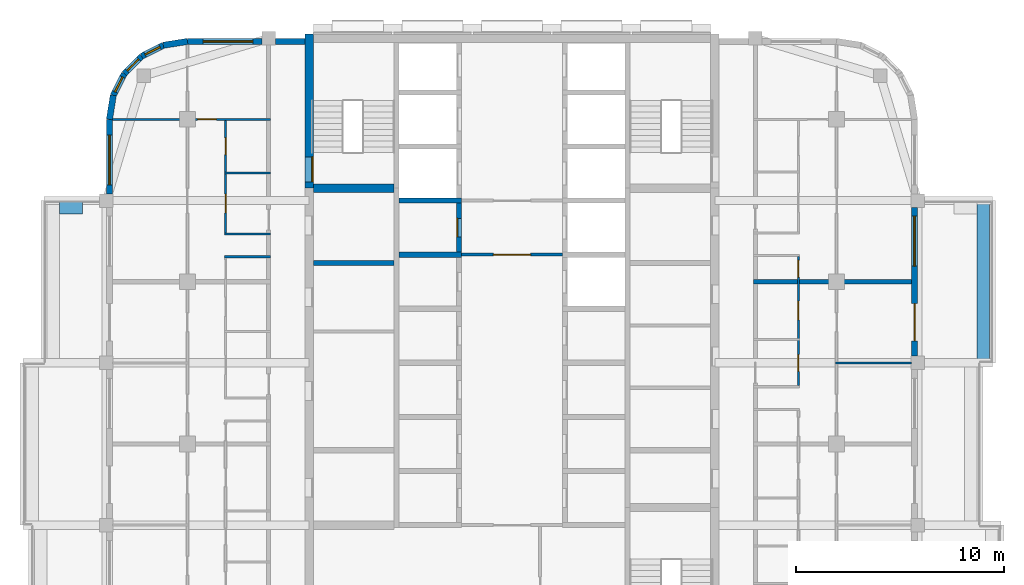
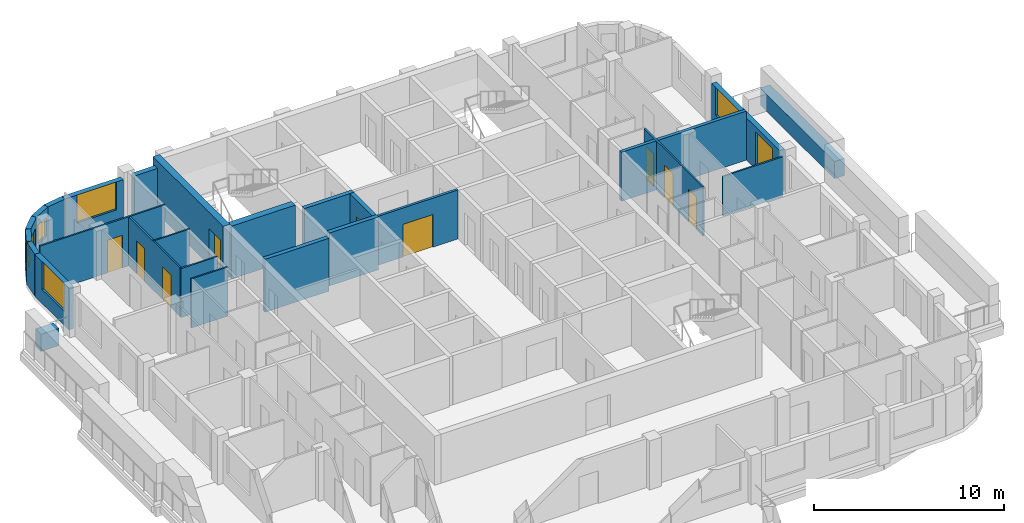
# One storey, part 7 of 13: 26 walls, 10 doors, 6 windows, 16 openings.
"""IFC4 building model written with IfcOpenShell, lengths in metres."""

from ifc_helpers import new_model, si_unit, direction, frame, frame_2d, origin, place, context, subcontext, project, spatial, rectangle, extrude, material, layer, layer_set, type_object, element, fill, save


model = new_model("IFC4")

# Units and contexts
model_context = context("Model", 3, precision=1e-05, world=origin(), true_north=direction((0.0, 1.0)))
body_context = subcontext(model_context, "Body", "Model", "MODEL_VIEW")
ifc_project = project(units=[si_unit("LENGTHUNIT", "METRE"), si_unit("AREAUNIT", "SQUARE_METRE"), si_unit("VOLUMEUNIT", "CUBIC_METRE"), si_unit("PLANEANGLEUNIT", "RADIAN"), si_unit("MASSUNIT", "GRAM", prefix="KILO")], contexts=[model_context])

# Site, building, storey
site_placement = place(None, origin())
site = spatial("IfcSite", under=ifc_project, at=site_placement, CompositionType="ELEMENT")
building_placement = place(site_placement, origin())
building = spatial("IfcBuilding", under=site, at=building_placement, Name="Ludao Terraces", CompositionType="ELEMENT")
storey_placement = place(building_placement, frame((0.0, 0.0, 249.39990234375)))
storey = spatial("IfcBuildingStorey", under=building, at=storey_placement, Name="L68", CompositionType="ELEMENT", Elevation=249.39990234375)

# Wall, opening, door
ifc_material_1 = material(Name="Concrete C50", Category="concrete")
ifc_layer_1 = layer(ifc_material_1, 0.39990234375)
ifc_layer_set_1 = layer_set([ifc_layer_1], Name="Core wall 400 C50")
wall_type_1 = type_object("IfcWallType", Name="Core wall 400 C50", PredefinedType="SOLIDWALL", material=ifc_layer_set_1)
wall_1_placement = place(storey_placement, frame((75.25, 77.300048828125, -0.25), z_axis=(0.0, 0.0, 1.0), x_axis=(0.0, 1.0, 0.0)))
wall_1 = element("IfcWall", 1, at=wall_1_placement, inside=storey, type_object=wall_type_1, Name="Core wall L68 outer-W-S1", PredefinedType="SOLIDWALL", context=body_context, shape_type="SweptSolid", body=[
    extrude(rectangle(XDim=7.39990234375, YDim=0.39990234375, at=frame_2d((3.699951171875, 0.0))), origin(), (0.0, 0.0, 1.0), 3.400146484375),
])
opening_1_placement = place(wall_1_placement, frame((0.300048828125, 0.0, 0.25)))
opening_1 = element("IfcOpeningElement", 2, at=opening_1_placement, cuts=wall_1, Name="Opening R24-077", PredefinedType="OPENING", context=body_context, shape_type="SweptSolid", body=[
    extrude(rectangle(XDim=1.199951171875, YDim=2.10009765625, at=frame_2d((0.60009765625, 1.050048828125))), frame((0.0, 0.2099609375, 0.0), z_axis=(0.0, -1.0, 0.0), x_axis=(1.0, 0.0, 0.0)), (0.0, 0.0, 1.0), 0.419921875),
])
ifc_material_2 = material(Name="Steel Q235", Category="steel")
door_type_1 = type_object("IfcDoorType", Name="INT Stair door 1200", OperationType="DOUBLE_DOOR_SINGLE_SWING", PredefinedType="DOOR", material=ifc_material_2)
door_1_placement = place(opening_1_placement, origin())
door_1 = element("IfcDoor", 3, at=door_1_placement, inside=storey, type_object=door_type_1, Name="DOOR 077", OperationType="DOUBLE_DOOR_SINGLE_SWING", OverallHeight=2.10009765625, OverallWidth=1.199951171875, PredefinedType="DOOR", context=body_context, shape_type="SweptSolid", body=[
    extrude(rectangle(XDim=1.199951171875, YDim=2.10009765625, at=frame_2d((0.60009765625, 1.050048828125))), frame((0.0, -0.134765625, 0.0), z_axis=(0.0, -1.0, 0.0), x_axis=(1.0, 0.0, 0.0)), (0.0, 0.0, 1.0), 0.050048828125),
])
fill(opening_1, door_1)

# Walls
ifc_material_3 = material(Name="Concrete C40", Category="concrete")
ifc_layer_2 = layer(ifc_material_3, 0.60009765625)
ifc_layer_set_2 = layer_set([ifc_layer_2], Name="ENV Planter trough 600")
wall_type_2 = type_object("IfcWallType", Name="ENV Planter trough 600", PredefinedType="USERDEFINED", material=ifc_layer_set_2)
wall_2_placement = place(storey_placement, frame((107.64990234375, 68.89990234375, 0.0), z_axis=(0.0, 0.0, 1.0), x_axis=(0.0, 1.0, 0.0)))
element("IfcWall", 4, at=wall_2_placement, inside=storey, type_object=wall_type_2, Name="PL-L68-E3", ObjectType="PLANTER", PredefinedType="USERDEFINED", context=body_context, shape_type="SweptSolid", body=[
    extrude(rectangle(XDim=7.800048828125, YDim=0.60009765625, at=frame_2d((3.89990234375, 0.0))), origin(), (0.0, 0.0, 1.0), 1.10009765625),
])
wall_3_placement = place(storey_placement, frame((63.25, 76.35009765625, 0.0), z_axis=(0.0, 0.0, 1.0), x_axis=(1.0, 0.0, 0.0)))
element("IfcWall", 5, at=wall_3_placement, inside=storey, type_object=wall_type_2, Name="PL-L68-W3-SB", ObjectType="PLANTER", PredefinedType="USERDEFINED", context=body_context, shape_type="SweptSolid", body=[
    extrude(rectangle(XDim=1.10009765625, YDim=0.60009765625, at=frame_2d((0.550048828125, 0.0))), origin(), (0.0, 0.0, 1.0), 1.10009765625),
])

# Wall, openings, door, window
ifc_material_4 = material(Name="Granite cladding", Category="masonry")
ifc_layer_3 = layer(ifc_material_4, 0.0400390625, Category="stone")
ifc_material_5 = material(Name="Mineral wool")
ifc_layer_4 = layer(ifc_material_5, 0.06005859375)
ifc_layer_5 = layer(ifc_material_3, 0.199951171875, Category="concrete")
ifc_layer_set_3 = layer_set([ifc_layer_3, ifc_layer_4, ifc_layer_5], Name="ENV Stone-clad wall 300")
wall_type_3 = type_object("IfcWallType", Name="ENV Stone-clad wall 300", PredefinedType="SOLIDWALL", material=ifc_layer_set_3)
wall_4_placement = place(storey_placement, frame((104.35009765625, 69.22509765625, 0.0), z_axis=(0.0, 0.0, 1.0), x_axis=(0.0, 1.0, 0.0)))
wall_4 = element("IfcWall", 6, at=wall_4_placement, inside=storey, type_object=wall_type_3, Name="EW-L68-E4", PredefinedType="SOLIDWALL", context=body_context, shape_type="SweptSolid", body=[
    extrude(rectangle(XDim=7.14990234375, YDim=0.300048828125, at=frame_2d((3.574951171875, 0.0))), origin(), (0.0, 0.0, 1.0), 2.7001953125),
])
opening_2_placement = place(wall_4_placement, frame((0.72509765625, 0.0, 0.0)))
opening_2 = element("IfcOpeningElement", 7, at=opening_2_placement, cuts=wall_4, Name="Opening BD", PredefinedType="OPENING", context=body_context, shape_type="SweptSolid", body=[
    extrude(rectangle(XDim=1.800048828125, YDim=2.39990234375, at=frame_2d((0.89990234375, 1.199951171875))), frame((0.0, 0.16015625, 0.0), z_axis=(0.0, -1.0, 0.0), x_axis=(1.0, 0.0, 0.0)), (0.0, 0.0, 1.0), 0.320068359375),
])
opening_3_placement = place(wall_4_placement, frame((4.324951171875, 0.0, 0.89990234375)))
opening_3 = element("IfcOpeningElement", 8, at=opening_3_placement, cuts=wall_4, Name="Opening W1", PredefinedType="OPENING", context=body_context, shape_type="SweptSolid", body=[
    extrude(rectangle(XDim=2.39990234375, YDim=1.800048828125, at=frame_2d((1.199951171875, 0.89990234375))), frame((0.0, 0.16015625, 0.0), z_axis=(0.0, -1.0, 0.0), x_axis=(1.0, 0.0, 0.0)), (0.0, 0.0, 1.0), 0.320068359375),
])
ifc_material_6 = material(Name="Aluminium glazed door", Category="aluminium")
ifc_layer_6 = layer(ifc_material_6, 0.06005859375)
ifc_layer_set_4 = layer_set([ifc_layer_6], Name="ENV Balcony door BD 1800x2400")
door_type_2 = type_object("IfcDoorType", Name="ENV Balcony door BD 1800x2400", OperationType="DOUBLE_DOOR_SINGLE_SWING", PredefinedType="DOOR", material=ifc_layer_set_4)
door_2_placement = place(opening_2_placement, origin())
door_2 = element("IfcDoor", 9, at=door_2_placement, inside=storey, type_object=door_type_2, Name="BD-L68-E4-1", OperationType="DOUBLE_DOOR_SINGLE_SWING", OverallHeight=2.39990234375, OverallWidth=1.800048828125, PredefinedType="DOOR", context=body_context, shape_type="SweptSolid", body=[
    extrude(rectangle(XDim=1.800048828125, YDim=2.39990234375, at=frame_2d((0.89990234375, 1.199951171875))), frame((0.0, 0.02490234375, 0.0), z_axis=(0.0, -1.0, 0.0), x_axis=(1.0, 0.0, 0.0)), (0.0, 0.0, 1.0), 0.050048828125),
])
fill(opening_2, door_2)
ifc_material_7 = material(Name="Clear glass in aluminium frame", Category="aluminium")
ifc_layer_7 = layer(ifc_material_7, 0.06005859375)
ifc_layer_set_5 = layer_set([ifc_layer_7], Name="ENV Window W1 2400x1800")
window_type_1 = type_object("IfcWindowType", Name="ENV Window W1 2400x1800", PartitioningType="DOUBLE_PANEL_VERTICAL", PredefinedType="WINDOW", material=ifc_layer_set_5)
window_1_placement = place(opening_3_placement, origin())
window_1 = element("IfcWindow", 10, at=window_1_placement, inside=storey, type_object=window_type_1, Name="W-L68-E4-2", OverallHeight=1.800048828125, OverallWidth=2.39990234375, PartitioningType="DOUBLE_PANEL_VERTICAL", PredefinedType="WINDOW", context=body_context, shape_type="SweptSolid", body=[
    extrude(rectangle(XDim=2.39990234375, YDim=1.800048828125, at=frame_2d((1.199951171875, 0.89990234375))), frame((0.0, 0.030029296875, 0.0), z_axis=(0.0, -1.0, 0.0), x_axis=(1.0, 0.0, 0.0)), (0.0, 0.0, 1.0), 0.06005859375),
])
fill(opening_3, window_1)

# Wall, opening, window
wall_5_placement = place(storey_placement, frame((69.39990234375, 84.35009765625, 0.0), z_axis=(0.0, 0.0, 1.0), x_axis=(1.0, 0.0, 0.0)))
wall_5 = element("IfcWall", 11, at=wall_5_placement, inside=storey, type_object=wall_type_3, Name="EW-L68-N1", PredefinedType="SOLIDWALL", context=body_context, shape_type="SweptSolid", body=[
    extrude(rectangle(XDim=3.5751953125, YDim=0.300048828125, at=frame_2d((1.78759765625, 0.0))), origin(), (0.0, 0.0, 1.0), 2.7001953125),
])
opening_4_placement = place(wall_5_placement, frame((0.75, 0.0, 0.89990234375)))
opening_4 = element("IfcOpeningElement", 12, at=opening_4_placement, cuts=wall_5, Name="Opening W1", PredefinedType="OPENING", context=body_context, shape_type="SweptSolid", body=[
    extrude(rectangle(XDim=2.39990234375, YDim=1.800048828125, at=frame_2d((1.199951171875, 0.89990234375))), frame((0.0, 0.16015625, 0.0), z_axis=(0.0, -1.0, 0.0), x_axis=(1.0, 0.0, 0.0)), (0.0, 0.0, 1.0), 0.320068359375),
])
window_2_placement = place(opening_4_placement, origin())
window_2 = element("IfcWindow", 13, at=window_2_placement, inside=storey, type_object=window_type_1, Name="W-L68-N1-1", OverallHeight=1.800048828125, OverallWidth=2.39990234375, PartitioningType="DOUBLE_PANEL_VERTICAL", PredefinedType="WINDOW", context=body_context, shape_type="SweptSolid", body=[
    extrude(rectangle(XDim=2.39990234375, YDim=1.800048828125, at=frame_2d((1.199951171875, 0.89990234375))), frame((0.0, 0.030029296875, 0.0), z_axis=(0.0, -1.0, 0.0), x_axis=(1.0, 0.0, 0.0)), (0.0, 0.0, 1.0), 0.06005859375),
])
fill(opening_4, window_2)

# Wall
wall_6_placement = place(storey_placement, frame((73.625, 84.35009765625, 0.0), z_axis=(0.0, 0.0, 1.0), x_axis=(1.0, 0.0, 0.0)))
element("IfcWall", 14, at=wall_6_placement, inside=storey, type_object=wall_type_3, Name="EW-L68-N2", PredefinedType="SOLIDWALL", context=body_context, shape_type="SweptSolid", body=[
    extrude(rectangle(XDim=1.425048828125, YDim=0.300048828125, at=frame_2d((0.71240234375, 0.0))), origin(), (0.0, 0.0, 1.0), 2.7001953125),
])

# Wall, opening, window
wall_7_placement = place(storey_placement, frame((65.64990234375, 77.02490234375, 0.0), z_axis=(0.0, 0.0, 1.0), x_axis=(0.0, 1.0, 0.0)))
wall_7 = element("IfcWall", 15, at=wall_7_placement, inside=storey, type_object=wall_type_3, Name="EW-L68-W5", PredefinedType="SOLIDWALL", context=body_context, shape_type="SweptSolid", body=[
    extrude(rectangle(XDim=3.5751953125, YDim=0.300048828125, at=frame_2d((1.78759765625, 0.0))), origin(), (0.0, 0.0, 1.0), 2.7001953125),
])
opening_5_placement = place(wall_7_placement, frame((0.425048828125, 0.0, 0.89990234375)))
opening_5 = element("IfcOpeningElement", 16, at=opening_5_placement, cuts=wall_7, Name="Opening W1", PredefinedType="OPENING", context=body_context, shape_type="SweptSolid", body=[
    extrude(rectangle(XDim=2.39990234375, YDim=1.800048828125, at=frame_2d((1.199951171875, 0.89990234375))), frame((0.0, 0.16015625, 0.0), z_axis=(0.0, -1.0, 0.0), x_axis=(1.0, 0.0, 0.0)), (0.0, 0.0, 1.0), 0.320068359375),
])
window_3_placement = place(opening_5_placement, origin())
window_3 = element("IfcWindow", 17, at=window_3_placement, inside=storey, type_object=window_type_1, Name="W-L68-W5-1", OverallHeight=1.800048828125, OverallWidth=2.39990234375, PartitioningType="DOUBLE_PANEL_VERTICAL", PredefinedType="WINDOW", context=body_context, shape_type="SweptSolid", body=[
    extrude(rectangle(XDim=2.39990234375, YDim=1.800048828125, at=frame_2d((1.199951171875, 0.89990234375))), frame((0.0, 0.030029296875, 0.0), z_axis=(0.0, -1.0, 0.0), x_axis=(1.0, 0.0, 0.0)), (0.0, 0.0, 1.0), 0.06005859375),
])
fill(opening_5, window_3)

# Wall
wall_8_placement = place(storey_placement, frame((69.39990234375, 84.35009765625, 0.0), z_axis=(0.0, 0.0, 1.0), x_axis=(-0.987678452879, -0.156496880861, 0.0)))
element("IfcWall", 18, at=wall_8_placement, inside=storey, type_object=wall_type_3, Name="EW-L68-NW1", PredefinedType="SOLIDWALL", context=body_context, shape_type="SweptSolid", body=[
    extrude(rectangle(XDim=1.173095703125, YDim=0.300048828125, at=frame_2d((0.58642578125, 0.0))), origin(), (0.0, 0.0, 1.0), 2.7001953125),
])

# Wall, opening, window
wall_9_placement = place(storey_placement, frame((68.2412109375, 84.16650390625, 0.0), z_axis=(0.0, 0.0, 1.0), x_axis=(-0.890988677504, -0.454025524128, 0.0)))
wall_9 = element("IfcWall", 19, at=wall_9_placement, inside=storey, type_object=wall_type_3, Name="EW-L68-NW2", PredefinedType="SOLIDWALL", context=body_context, shape_type="SweptSolid", body=[
    extrude(rectangle(XDim=1.17333984375, YDim=0.300048828125, at=frame_2d((0.586669921875, 0.0))), origin(), (0.0, 0.0, 1.0), 2.7001953125),
])
opening_6_placement = place(wall_9_placement, frame((0.1865234375, 0.0, 0.89990234375)))
opening_6 = element("IfcOpeningElement", 20, at=opening_6_placement, cuts=wall_9, Name="Opening W3", PredefinedType="OPENING", context=body_context, shape_type="SweptSolid", body=[
    extrude(rectangle(XDim=0.800048828125, YDim=1.199951171875, at=frame_2d((0.39990234375, 0.60009765625))), frame((0.0, 0.16015625, 0.0), z_axis=(0.0, -1.0, 0.0), x_axis=(1.0, 0.0, 0.0)), (0.0, 0.0, 1.0), 0.320068359375),
])
ifc_layer_8 = layer(ifc_material_7, 0.06005859375)
ifc_layer_set_6 = layer_set([ifc_layer_8], Name="ENV Window W3 800x1200")
window_type_2 = type_object("IfcWindowType", Name="ENV Window W3 800x1200", PartitioningType="SINGLE_PANEL", PredefinedType="WINDOW", material=ifc_layer_set_6)
window_4_placement = place(opening_6_placement, origin())
window_4 = element("IfcWindow", 21, at=window_4_placement, inside=storey, type_object=window_type_2, Name="W-L68-NW2", OverallHeight=1.199951171875, OverallWidth=0.800048828125, PartitioningType="SINGLE_PANEL", PredefinedType="WINDOW", context=body_context, shape_type="SweptSolid", body=[
    extrude(rectangle(XDim=0.800048828125, YDim=1.199951171875, at=frame_2d((0.39990234375, 0.60009765625))), frame((0.0, 0.030029296875, 0.0), z_axis=(0.0, -1.0, 0.0), x_axis=(1.0, 0.0, 0.0)), (0.0, 0.0, 1.0), 0.06005859375),
])
fill(opening_6, window_4)

wall_10_placement = place(storey_placement, frame((67.19580078125, 83.6337890625, 0.0), z_axis=(0.0, 0.0, 1.0), x_axis=(-0.707106781187, -0.707106781187, 0.0)))
wall_10 = element("IfcWall", 22, at=wall_10_placement, inside=storey, type_object=wall_type_3, Name="EW-L68-NW3", PredefinedType="SOLIDWALL", context=body_context, shape_type="SweptSolid", body=[
    extrude(rectangle(XDim=1.173095703125, YDim=0.300048828125, at=frame_2d((0.58642578125, 0.0))), origin(), (0.0, 0.0, 1.0), 2.7001953125),
])
opening_7_placement = place(wall_10_placement, frame((0.1865234375, 0.0, 0.89990234375)))
opening_7 = element("IfcOpeningElement", 23, at=opening_7_placement, cuts=wall_10, Name="Opening W3", PredefinedType="OPENING", context=body_context, shape_type="SweptSolid", body=[
    extrude(rectangle(XDim=0.800048828125, YDim=1.199951171875, at=frame_2d((0.39990234375, 0.60009765625))), frame((0.0, 0.16015625, 0.0), z_axis=(0.0, -1.0, 0.0), x_axis=(1.0, 0.0, 0.0)), (0.0, 0.0, 1.0), 0.320068359375),
])
window_5_placement = place(opening_7_placement, origin())
window_5 = element("IfcWindow", 24, at=window_5_placement, inside=storey, type_object=window_type_2, Name="W-L68-NW3", OverallHeight=1.199951171875, OverallWidth=0.800048828125, PartitioningType="SINGLE_PANEL", PredefinedType="WINDOW", context=body_context, shape_type="SweptSolid", body=[
    extrude(rectangle(XDim=0.800048828125, YDim=1.199951171875, at=frame_2d((0.39990234375, 0.60009765625))), frame((0.0, 0.030029296875, 0.0), z_axis=(0.0, -1.0, 0.0), x_axis=(1.0, 0.0, 0.0)), (0.0, 0.0, 1.0), 0.06005859375),
])
fill(opening_7, window_5)

wall_11_placement = place(storey_placement, frame((66.3662109375, 82.80419921875, 0.0), z_axis=(0.0, 0.0, 1.0), x_axis=(-0.454025524128, -0.890988677504, 0.0)))
wall_11 = element("IfcWall", 25, at=wall_11_placement, inside=storey, type_object=wall_type_3, Name="EW-L68-NW4", PredefinedType="SOLIDWALL", context=body_context, shape_type="SweptSolid", body=[
    extrude(rectangle(XDim=1.17333984375, YDim=0.300048828125, at=frame_2d((0.586669921875, 0.0))), origin(), (0.0, 0.0, 1.0), 2.7001953125),
])
opening_8_placement = place(wall_11_placement, frame((0.1865234375, 0.0, 0.89990234375)))
opening_8 = element("IfcOpeningElement", 26, at=opening_8_placement, cuts=wall_11, Name="Opening W3", PredefinedType="OPENING", context=body_context, shape_type="SweptSolid", body=[
    extrude(rectangle(XDim=0.800048828125, YDim=1.199951171875, at=frame_2d((0.39990234375, 0.60009765625))), frame((0.0, 0.16015625, 0.0), z_axis=(0.0, -1.0, 0.0), x_axis=(1.0, 0.0, 0.0)), (0.0, 0.0, 1.0), 0.320068359375),
])
window_6_placement = place(opening_8_placement, origin())
window_6 = element("IfcWindow", 27, at=window_6_placement, inside=storey, type_object=window_type_2, Name="W-L68-NW4", OverallHeight=1.199951171875, OverallWidth=0.800048828125, PartitioningType="SINGLE_PANEL", PredefinedType="WINDOW", context=body_context, shape_type="SweptSolid", body=[
    extrude(rectangle(XDim=0.800048828125, YDim=1.199951171875, at=frame_2d((0.39990234375, 0.60009765625))), frame((0.0, 0.030029296875, 0.0), z_axis=(0.0, -1.0, 0.0), x_axis=(1.0, 0.0, 0.0)), (0.0, 0.0, 1.0), 0.06005859375),
])
fill(opening_8, window_6)

# Wall
wall_12_placement = place(storey_placement, frame((65.83349609375, 81.7587890625, 0.0), z_axis=(0.0, 0.0, 1.0), x_axis=(-0.156496880861, -0.987678452879, 0.0)))
element("IfcWall", 28, at=wall_12_placement, inside=storey, type_object=wall_type_3, Name="EW-L68-NW5", PredefinedType="SOLIDWALL", context=body_context, shape_type="SweptSolid", body=[
    extrude(rectangle(XDim=1.173095703125, YDim=0.300048828125, at=frame_2d((0.58642578125, 0.0))), origin(), (0.0, 0.0, 1.0), 2.7001953125),
])

# Wall, opening, door
ifc_material_8 = material(Name="Fire-rated gypsum plasterboard", Category="gypsum")
ifc_layer_9 = layer(ifc_material_8, 0.012451171875, Category="gypsum")
ifc_layer_10 = layer(ifc_material_5, 0.10009765625, Name="insulation")
ifc_layer_11 = layer(ifc_material_2, 0.02490234375, Name="stud")
ifc_layer_12 = layer(ifc_material_8, 0.012451171875, Category="gypsum")
ifc_layer_set_7 = layer_set([ifc_layer_9, ifc_layer_10, ifc_layer_11, ifc_layer_12], Name="INT Core partition 150")
wall_type_4 = type_object("IfcWallType", Name="INT Core partition 150", PredefinedType="PARTITIONING", material=ifc_layer_set_7)
wall_13_placement = place(storey_placement, frame((82.5751953125, 74.10009765625, 0.0), z_axis=(0.0, 0.0, 1.0), x_axis=(1.0, 0.0, 0.0)))
wall_13 = element("IfcWall", 29, at=wall_13_placement, inside=storey, type_object=wall_type_4, Name="PW-L68-PW038", PredefinedType="PARTITIONING", context=body_context, shape_type="SweptSolid", body=[
    extrude(rectangle(XDim=4.849853515625, YDim=0.14990234375, at=frame_2d((2.4248046875, 0.0))), origin(), (0.0, 0.0, 1.0), 3.150146484375),
])
opening_9_placement = place(wall_13_placement, frame((1.52490234375, 0.0, 0.0)))
opening_9 = element("IfcOpeningElement", 30, at=opening_9_placement, cuts=wall_13, Name="Opening R24-063", PredefinedType="OPENING", context=body_context, shape_type="SweptSolid", body=[
    extrude(rectangle(XDim=1.800048828125, YDim=2.10009765625, at=frame_2d((0.89990234375, 1.050048828125))), frame((0.0, 0.0849609375, 0.0), z_axis=(0.0, -1.0, 0.0), x_axis=(1.0, 0.0, 0.0)), (0.0, 0.0, 1.0), 0.169921875),
])
door_type_3 = type_object("IfcDoorType", Name="INT Fire lobby door 1800", OperationType="DOUBLE_DOOR_SINGLE_SWING", PredefinedType="DOOR", material=ifc_material_2)
door_3_placement = place(opening_9_placement, origin())
door_3 = element("IfcDoor", 31, at=door_3_placement, inside=storey, type_object=door_type_3, Name="DOOR 063", OperationType="DOUBLE_DOOR_SINGLE_SWING", OverallHeight=2.10009765625, OverallWidth=1.800048828125, PredefinedType="DOOR", context=body_context, shape_type="SweptSolid", body=[
    extrude(rectangle(XDim=1.800048828125, YDim=2.10009765625, at=frame_2d((0.89990234375, 1.050048828125))), frame((0.0, 0.02490234375, 0.0), z_axis=(0.0, -1.0, 0.0), x_axis=(1.0, 0.0, 0.0)), (0.0, 0.0, 1.0), 0.050048828125),
])
fill(opening_9, door_3)

# Walls
ifc_material_9 = material(Name="Gypsum plasterboard", Category="gypsum")
ifc_layer_13 = layer(ifc_material_9, 0.012451171875, Category="gypsum")
ifc_layer_14 = layer(ifc_material_5, 0.06005859375, Name="insulation")
ifc_layer_15 = layer(ifc_material_2, 0.014892578125, Name="stud")
ifc_layer_16 = layer(ifc_material_9, 0.012451171875, Category="gypsum")
ifc_layer_set_8 = layer_set([ifc_layer_13, ifc_layer_14, ifc_layer_15, ifc_layer_16], Name="INT Partition 100")
wall_type_5 = type_object("IfcWallType", Name="INT Partition 100", PredefinedType="PARTITIONING", material=ifc_layer_set_8)
wall_14_placement = place(storey_placement, frame((100.550048828125, 68.89990234375, 0.0), z_axis=(0.0, 0.0, 1.0), x_axis=(1.0, 0.0, 0.0)))
element("IfcWall", 32, at=wall_14_placement, inside=storey, type_object=wall_type_5, Name="PW-L68-PW029", PredefinedType="PARTITIONING", context=body_context, shape_type="SweptSolid", body=[
    extrude(rectangle(XDim=3.650146484375, YDim=0.10009765625, at=frame_2d((1.8251953125, 0.0))), origin(), (0.0, 0.0, 1.0), 2.550048828125),
])
for number, where, z_axis, x_axis, name in (
    (33, (71.18017578125, 74.0, 0.0), (0.0, 0.0, 1.0), (1.0, 0.0, 0.0), "PW-L68-PW036"),
    (34, (71.18017578125, 75.10009765625, 0.0), (0.0, 0.0, 1.0), (1.0, 0.0, 0.0), "PW-L68-PW039"),
    (35, (71.18017578125, 78.02001953125, 0.0), (0.0, 0.0, 1.0), (1.0, 0.0, 0.0), "PW-L68-PW042"),
):
    element("IfcWall", number, at=place(storey_placement, frame(where, z_axis=z_axis, x_axis=x_axis)), inside=storey, type_object=wall_type_5, Name=name, PredefinedType="PARTITIONING", context=body_context, shape_type="SweptSolid", body=[
        extrude(rectangle(XDim=2.219970703125, YDim=0.10009765625, at=frame_2d((1.10986328125, 0.0))), origin(), (0.0, 0.0, 1.0), 3.150146484375),
    ])

# Wall, opening, door
wall_15_placement = place(storey_placement, frame((65.800048828125, 80.60009765625, 0.0), z_axis=(0.0, 0.0, 1.0), x_axis=(1.0, 0.0, 0.0)))
wall_15 = element("IfcWall", 36, at=wall_15_placement, inside=storey, type_object=wall_type_5, Name="PW-L68-PW044", PredefinedType="PARTITIONING", context=body_context, shape_type="SweptSolid", body=[
    extrude(rectangle(XDim=7.60009765625, YDim=0.10009765625, at=frame_2d((3.800048828125, 0.0))), origin(), (0.0, 0.0, 1.0), 3.150146484375),
])
opening_10_placement = place(wall_15_placement, frame((4.090087890625, 0.0, 0.0)))
opening_10 = element("IfcOpeningElement", 37, at=opening_10_placement, cuts=wall_15, Name="Opening R24-081", PredefinedType="OPENING", context=body_context, shape_type="SweptSolid", body=[
    extrude(rectangle(XDim=0.89990234375, YDim=2.10009765625, at=frame_2d((0.449951171875, 1.050048828125))), frame((0.0, 0.06005859375, 0.0), z_axis=(0.0, -1.0, 0.0), x_axis=(1.0, 0.0, 0.0)), (0.0, 0.0, 1.0), 0.1201171875),
])
ifc_material_10 = material(Name="Timber door leaf", Category="wood")
door_type_4 = type_object("IfcDoorType", Name="INT Room door 900", OperationType="SINGLE_SWING_LEFT", PredefinedType="DOOR", material=ifc_material_10)
door_4_placement = place(opening_10_placement, origin())
door_4 = element("IfcDoor", 38, at=door_4_placement, inside=storey, type_object=door_type_4, Name="DOOR 081", OperationType="SINGLE_SWING_LEFT", OverallHeight=2.10009765625, OverallWidth=0.89990234375, PredefinedType="DOOR", context=body_context, shape_type="SweptSolid", body=[
    extrude(rectangle(XDim=0.89990234375, YDim=2.10009765625, at=frame_2d((0.449951171875, 1.050048828125))), frame((0.0, 0.02490234375, 0.0), z_axis=(0.0, -1.0, 0.0), x_axis=(1.0, 0.0, 0.0)), (0.0, 0.0, 1.0), 0.050048828125),
])
fill(opening_10, door_4)

# Wall, openings, doors
wall_16_placement = place(storey_placement, frame((71.22998046875, 75.150146484375, 0.0), z_axis=(0.0, 0.0, 1.0), x_axis=(0.0, 1.0, 0.0)))
wall_16 = element("IfcWall", 39, at=wall_16_placement, inside=storey, type_object=wall_type_5, Name="PW-L68-PW050", PredefinedType="PARTITIONING", context=body_context, shape_type="SweptSolid", body=[
    extrude(rectangle(XDim=5.39990234375, YDim=0.10009765625, at=frame_2d((2.699951171875, 0.0))), origin(), (0.0, 0.0, 1.0), 3.150146484375),
])
opening_11_placement = place(wall_16_placement, frame((0.9599609375, 0.0, 0.0)))
opening_11 = element("IfcOpeningElement", 40, at=opening_11_placement, cuts=wall_16, Name="Opening R24-070", PredefinedType="OPENING", context=body_context, shape_type="SweptSolid", body=[
    extrude(rectangle(XDim=0.89990234375, YDim=2.10009765625, at=frame_2d((0.449951171875, 1.050048828125))), frame((0.0, 0.06005859375, 0.0), z_axis=(0.0, -1.0, 0.0), x_axis=(1.0, 0.0, 0.0)), (0.0, 0.0, 1.0), 0.1201171875),
])
opening_12_placement = place(wall_16_placement, frame((3.760009765625, 0.0, 0.0)))
opening_12 = element("IfcOpeningElement", 41, at=opening_12_placement, cuts=wall_16, Name="Opening R24-079", PredefinedType="OPENING", context=body_context, shape_type="SweptSolid", body=[
    extrude(rectangle(XDim=0.800048828125, YDim=2.10009765625, at=frame_2d((0.39990234375, 1.050048828125))), frame((0.0, 0.06005859375, 0.0), z_axis=(0.0, -1.0, 0.0), x_axis=(1.0, 0.0, 0.0)), (0.0, 0.0, 1.0), 0.1201171875),
])
door_5_placement = place(opening_11_placement, origin())
door_5 = element("IfcDoor", 42, at=door_5_placement, inside=storey, type_object=door_type_4, Name="DOOR 070", OperationType="SINGLE_SWING_RIGHT", OverallHeight=2.10009765625, OverallWidth=0.89990234375, PredefinedType="DOOR", context=body_context, shape_type="SweptSolid", body=[
    extrude(rectangle(XDim=0.89990234375, YDim=2.10009765625, at=frame_2d((0.449951171875, 1.050048828125))), frame((0.0, 0.02490234375, 0.0), z_axis=(0.0, -1.0, 0.0), x_axis=(1.0, 0.0, 0.0)), (0.0, 0.0, 1.0), 0.050048828125),
])
fill(opening_11, door_5)
door_type_5 = type_object("IfcDoorType", Name="INT Store door 800", OperationType="SINGLE_SWING_LEFT", PredefinedType="DOOR", material=ifc_material_10)
door_6_placement = place(opening_12_placement, origin())
door_6 = element("IfcDoor", 43, at=door_6_placement, inside=storey, type_object=door_type_5, Name="DOOR 079", OperationType="SINGLE_SWING_RIGHT", OverallHeight=2.10009765625, OverallWidth=0.800048828125, PredefinedType="DOOR", context=body_context, shape_type="SweptSolid", body=[
    extrude(rectangle(XDim=0.800048828125, YDim=2.10009765625, at=frame_2d((0.39990234375, 1.050048828125))), frame((0.0, 0.02490234375, 0.0), z_axis=(0.0, -1.0, 0.0), x_axis=(1.0, 0.0, 0.0)), (0.0, 0.0, 1.0), 0.050048828125),
])
fill(opening_12, door_6)

wall_17_placement = place(storey_placement, frame((98.77001953125, 67.800048828125, 0.0), z_axis=(0.0, 0.0, 1.0), x_axis=(0.0, 1.0, 0.0)))
wall_17 = element("IfcWall", 44, at=wall_17_placement, inside=storey, type_object=wall_type_5, Name="PW-L68-PW059", PredefinedType="PARTITIONING", context=body_context, shape_type="SweptSolid", body=[
    extrude(rectangle(XDim=6.199951171875, YDim=0.10009765625, at=frame_2d((3.10009765625, 0.0))), origin(), (0.0, 0.0, 1.0), 3.150146484375),
])
opening_13_placement = place(wall_17_placement, frame((0.68994140625, 0.0, 0.0)))
opening_13 = element("IfcOpeningElement", 45, at=opening_13_placement, cuts=wall_17, Name="Opening R24-049", PredefinedType="OPENING", context=body_context, shape_type="SweptSolid", body=[
    extrude(rectangle(XDim=0.800048828125, YDim=2.10009765625, at=frame_2d((0.39990234375, 1.050048828125))), frame((0.0, 0.06005859375, 0.0), z_axis=(0.0, -1.0, 0.0), x_axis=(1.0, 0.0, 0.0)), (0.0, 0.0, 1.0), 0.1201171875),
])
opening_14_placement = place(wall_17_placement, frame((3.1650390625, 0.0, 0.0)))
opening_14 = element("IfcOpeningElement", 46, at=opening_14_placement, cuts=wall_17, Name="Opening R24-055", PredefinedType="OPENING", context=body_context, shape_type="SweptSolid", body=[
    extrude(rectangle(XDim=0.89990234375, YDim=2.10009765625, at=frame_2d((0.449951171875, 1.050048828125))), frame((0.0, 0.06005859375, 0.0), z_axis=(0.0, -1.0, 0.0), x_axis=(1.0, 0.0, 0.0)), (0.0, 0.0, 1.0), 0.1201171875),
])
opening_15_placement = place(wall_17_placement, frame((5.22509765625, 0.0, 0.0)))
opening_15 = element("IfcOpeningElement", 47, at=opening_15_placement, cuts=wall_17, Name="Opening R24-062", PredefinedType="OPENING", context=body_context, shape_type="SweptSolid", body=[
    extrude(rectangle(XDim=0.800048828125, YDim=2.10009765625, at=frame_2d((0.39990234375, 1.050048828125))), frame((0.0, 0.06005859375, 0.0), z_axis=(0.0, -1.0, 0.0), x_axis=(1.0, 0.0, 0.0)), (0.0, 0.0, 1.0), 0.1201171875),
])
door_7_placement = place(opening_14_placement, origin())
door_7 = element("IfcDoor", 48, at=door_7_placement, inside=storey, type_object=door_type_4, Name="DOOR 055", OperationType="SINGLE_SWING_LEFT", OverallHeight=2.10009765625, OverallWidth=0.89990234375, PredefinedType="DOOR", context=body_context, shape_type="SweptSolid", body=[
    extrude(rectangle(XDim=0.89990234375, YDim=2.10009765625, at=frame_2d((0.449951171875, 1.050048828125))), frame((0.0, 0.02490234375, 0.0), z_axis=(0.0, -1.0, 0.0), x_axis=(1.0, 0.0, 0.0)), (0.0, 0.0, 1.0), 0.050048828125),
])
fill(opening_14, door_7)
door_8_placement = place(opening_13_placement, origin())
door_8 = element("IfcDoor", 49, at=door_8_placement, inside=storey, type_object=door_type_5, Name="DOOR 049", OperationType="SINGLE_SWING_RIGHT", OverallHeight=2.10009765625, OverallWidth=0.800048828125, PredefinedType="DOOR", context=body_context, shape_type="SweptSolid", body=[
    extrude(rectangle(XDim=0.800048828125, YDim=2.10009765625, at=frame_2d((0.39990234375, 1.050048828125))), frame((0.0, 0.02490234375, 0.0), z_axis=(0.0, -1.0, 0.0), x_axis=(1.0, 0.0, 0.0)), (0.0, 0.0, 1.0), 0.050048828125),
])
fill(opening_13, door_8)
door_9_placement = place(opening_15_placement, origin())
door_9 = element("IfcDoor", 50, at=door_9_placement, inside=storey, type_object=door_type_5, Name="DOOR 062", OperationType="SINGLE_SWING_LEFT", OverallHeight=2.10009765625, OverallWidth=0.800048828125, PredefinedType="DOOR", context=body_context, shape_type="SweptSolid", body=[
    extrude(rectangle(XDim=0.800048828125, YDim=2.10009765625, at=frame_2d((0.39990234375, 1.050048828125))), frame((0.0, 0.02490234375, 0.0), z_axis=(0.0, -1.0, 0.0), x_axis=(1.0, 0.0, 0.0)), (0.0, 0.0, 1.0), 0.050048828125),
])
fill(opening_15, door_9)

# Walls
ifc_material_11 = material(Name="Autoclaved aerated concrete block B06 A3.5", Category="concrete")
ifc_layer_17 = layer(ifc_material_11, 0.199951171875)
ifc_layer_set_9 = layer_set([ifc_layer_17], Name="INT Party wall 200")
wall_type_6 = type_object("IfcWallType", Name="INT Party wall 200", PredefinedType="PARTITIONING", material=ifc_layer_set_9)
wall_18_placement = place(storey_placement, frame((96.60009765625, 72.800048828125, 0.0), z_axis=(0.0, 0.0, 1.0), x_axis=(1.0, 0.0, 0.0)))
element("IfcWall", 51, at=wall_18_placement, inside=storey, type_object=wall_type_6, Name="PW-L68-PW035", PredefinedType="PARTITIONING", context=body_context, shape_type="SweptSolid", body=[
    extrude(rectangle(XDim=7.60009765625, YDim=0.199951171875, at=frame_2d((3.800048828125, 0.0))), origin(), (0.0, 0.0, 1.0), 3.150146484375),
])
ifc_layer_18 = layer(ifc_material_1, 0.25)
ifc_layer_set_10 = layer_set([ifc_layer_18], Name="Shaft wall 250 C50")
wall_type_7 = type_object("IfcWallType", Name="Shaft wall 250 C50", PredefinedType="SOLIDWALL", material=ifc_layer_set_10)
wall_19_placement = place(storey_placement, frame((79.574951171875, 74.10009765625, -0.25), z_axis=(0.0, 0.0, 1.0), x_axis=(1.0, 0.0, 0.0)))
element("IfcWall", 52, at=wall_19_placement, inside=storey, type_object=wall_type_7, Name="Core wall L68 div-W6", PredefinedType="SOLIDWALL", context=body_context, shape_type="SweptSolid", body=[
    extrude(rectangle(XDim=3.0, YDim=0.25, at=frame_2d((1.5, 0.0))), origin(), (0.0, 0.0, 1.0), 3.400146484375),
])

# Wall, opening, door
wall_20_placement = place(storey_placement, frame((82.449951171875, 74.22509765625, -0.25), z_axis=(0.0, 0.0, 1.0), x_axis=(0.0, 1.0, 0.0)))
wall_20 = element("IfcWall", 53, at=wall_20_placement, inside=storey, type_object=wall_type_7, Name="Core wall L68 front-W6", PredefinedType="SOLIDWALL", context=body_context, shape_type="SweptSolid", body=[
    extrude(rectangle(XDim=2.349853515625, YDim=0.25, at=frame_2d((1.1748046875, 0.0))), origin(), (0.0, 0.0, 1.0), 3.400146484375),
])
opening_16_placement = place(wall_20_placement, frame((0.72509765625, 0.0, 0.25)))
opening_16 = element("IfcOpeningElement", 54, at=opening_16_placement, cuts=wall_20, Name="Opening R24-064", PredefinedType="OPENING", context=body_context, shape_type="SweptSolid", body=[
    extrude(rectangle(XDim=0.89990234375, YDim=2.10009765625, at=frame_2d((0.449951171875, 1.050048828125))), frame((0.0, 0.135009765625, 0.0), z_axis=(0.0, -1.0, 0.0), x_axis=(1.0, 0.0, 0.0)), (0.0, 0.0, 1.0), 0.27001953125),
])
door_10_placement = place(opening_16_placement, origin())
door_10 = element("IfcDoor", 55, at=door_10_placement, inside=storey, type_object=door_type_4, Name="DOOR 064", OperationType="SINGLE_SWING_LEFT", OverallHeight=2.10009765625, OverallWidth=0.89990234375, PredefinedType="DOOR", context=body_context, shape_type="SweptSolid", body=[
    extrude(rectangle(XDim=0.89990234375, YDim=2.10009765625, at=frame_2d((0.449951171875, 1.050048828125))), frame((0.0, 0.10986328125, 0.0), z_axis=(0.0, -1.0, 0.0), x_axis=(1.0, 0.0, 0.0)), (0.0, 0.0, 1.0), 0.050048828125),
])
fill(opening_16, door_10)

# Walls
wall_21_placement = place(storey_placement, frame((79.574951171875, 76.699951171875, -0.25), z_axis=(0.0, 0.0, 1.0), x_axis=(1.0, 0.0, 0.0)))
element("IfcWall", 56, at=wall_21_placement, inside=storey, type_object=wall_type_7, Name="Core wall L68 div-W7", PredefinedType="SOLIDWALL", context=body_context, shape_type="SweptSolid", body=[
    extrude(rectangle(XDim=3.0, YDim=0.25, at=frame_2d((1.5, 0.0))), origin(), (0.0, 0.0, 1.0), 3.400146484375),
])
wall_22_placement = place(storey_placement, frame((75.449951171875, 73.699951171875, -0.25), z_axis=(0.0, 0.0, 1.0), x_axis=(1.0, 0.0, 0.0)))
element("IfcWall", 57, at=wall_22_placement, inside=storey, type_object=wall_type_7, Name="Core wall L68 riser-b-W", PredefinedType="SOLIDWALL", context=body_context, shape_type="SweptSolid", body=[
    extrude(rectangle(XDim=3.875, YDim=0.25, at=frame_2d((1.9375, 0.0))), origin(), (0.0, 0.0, 1.0), 3.400146484375),
])
ifc_layer_19 = layer(ifc_material_1, 0.39990234375)
ifc_layer_set_11 = layer_set([ifc_layer_19], Name="Shaft wall 400 C50")
wall_type_8 = type_object("IfcWallType", Name="Shaft wall 400 C50", PredefinedType="SOLIDWALL", material=ifc_layer_set_11)
wall_23_placement = place(storey_placement, frame((75.449951171875, 77.300048828125, -0.25), z_axis=(0.0, 0.0, 1.0), x_axis=(1.0, 0.0, 0.0)))
element("IfcWall", 58, at=wall_23_placement, inside=storey, type_object=wall_type_8, Name="Core wall L68 stair-W", PredefinedType="SOLIDWALL", context=body_context, shape_type="SweptSolid", body=[
    extrude(rectangle(XDim=3.875, YDim=0.39990234375, at=frame_2d((1.9375, 0.0))), origin(), (0.0, 0.0, 1.0), 3.400146484375),
])

save(model, "model.ifc")
